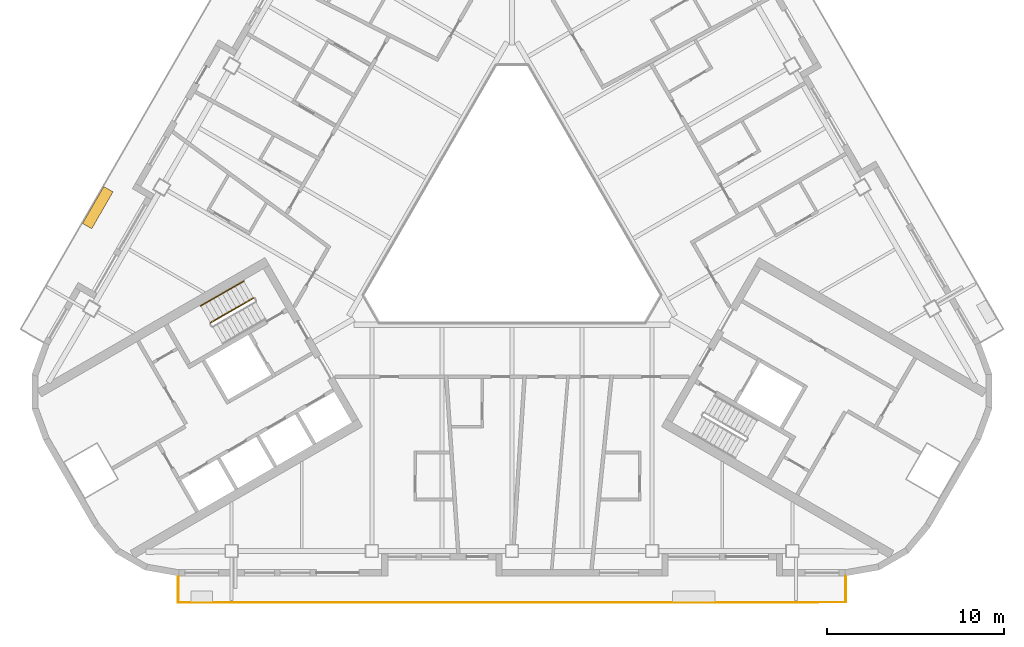
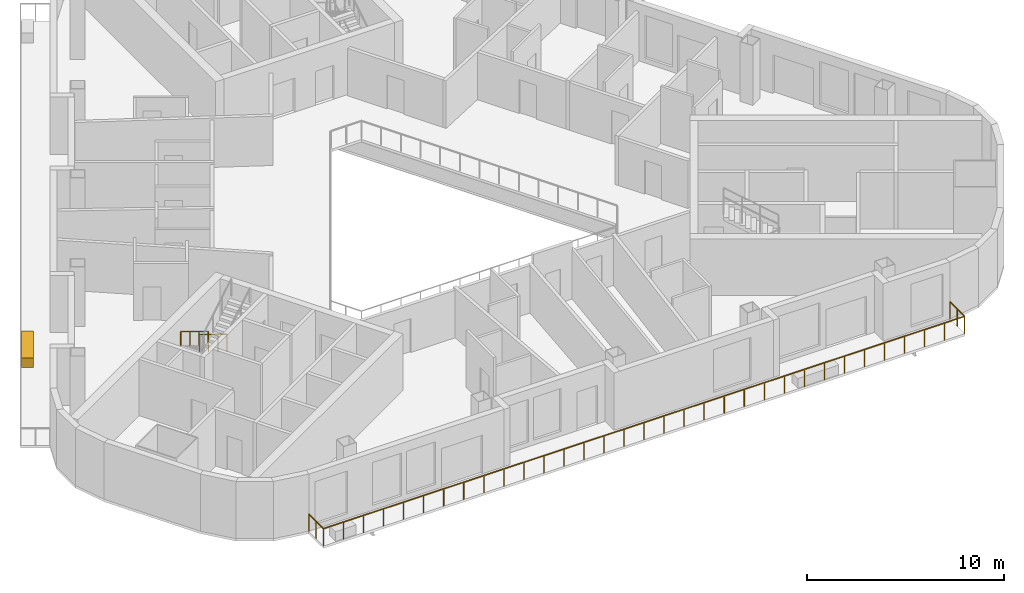
# One storey, part 10 of 14: 3 railings, 1 covering.
"""IFC4 building model written with IfcOpenShell, lengths in metres."""

import ifcopenshell
import ifcopenshell.guid

model = None  # the IFC model being written
_history = None  # IfcOwnerHistory: only IFC2X3 demands one
_inside = {}  # id of a spatial element -> (the spatial element, [elements in it])
_under = {}  # id of a project, library or spatial element -> (it, [spatial elements below it])
_declared = {}  # id of a project -> (the project, [libraries it declares])
_typed = {}  # id of a type object -> (the type object, [elements of that type])
_made_of = {}  # id of a material, layer set ... -> (it, [elements and type objects made of it])


def new_model(schema):
    """Start an empty IFC model of exactly this schema.

    Asked for "IFC4X3", IfcOpenShell would pick the latest addendum, in which some entities
    have other attributes; the version numbers below select the first issue.
    IFC2X3 requires an IfcOwnerHistory on every rooted entity: one is made here for all.
    """
    global model, _history
    if schema == "IFC4X3":
        model = ifcopenshell.file(schema_version=(4, 3, 0, 0))
    else:
        model = ifcopenshell.file(schema=schema)
    _inside.clear()
    _under.clear()
    _declared.clear()
    _typed.clear()
    _made_of.clear()
    _history = None
    if model.schema == "IFC2X3":
        org = make("IfcOrganization", Name="unknown")
        user = make(
            "IfcPersonAndOrganization",
            ThePerson=make("IfcPerson", FamilyName="unknown"),
            TheOrganization=org,
        )
        app = make(
            "IfcApplication",
            ApplicationDeveloper=org,
            Version="unknown",
            ApplicationFullName="unknown",
            ApplicationIdentifier="unknown",
        )
        _history = make(
            "IfcOwnerHistory",
            OwningUser=user,
            OwningApplication=app,
            ChangeAction="ADDED",
            CreationDate=0,
        )
    return model


def make(cls, **values):
    """One entity of the class cls with the attributes given. An attribute that is None is left unset."""
    return model.create_entity(
        cls, **{name: value for name, value in values.items() if value is not None}
    )


def rooted(cls, **values):
    """An entity with a GlobalId (a new one), such as an element, a storey or a relation."""
    return make(cls, GlobalId=ifcopenshell.guid.new(), OwnerHistory=_history, **values)


def si_unit(unit_type, name, prefix=None):
    """IfcSIUnit, for example si_unit("LENGTHUNIT", "METRE", prefix="MILLI")."""
    return make("IfcSIUnit", UnitType=unit_type, Prefix=prefix, Name=name)


def assignment(units):
    """IfcUnitAssignment: the units of a project."""
    return None if units is None else make("IfcUnitAssignment", Units=units)


def point(xyz):
    """IfcCartesianPoint."""
    return None if xyz is None else make("IfcCartesianPoint", Coordinates=xyz)


def direction(xyz):
    """IfcDirection."""
    return None if xyz is None else make("IfcDirection", DirectionRatios=xyz)


def frame(location, z_axis=None, x_axis=None):
    """IfcAxis2Placement3D, a coordinate frame: its origin and axes. An axis left out is left unset."""
    return make(
        "IfcAxis2Placement3D",
        Location=point(location),
        Axis=direction(z_axis),
        RefDirection=direction(x_axis),
    )


def frame_2d(location, x_axis=None):
    """IfcAxis2Placement2D, a coordinate frame in the plane: its origin and x axis."""
    return make(
        "IfcAxis2Placement2D", Location=point(location), RefDirection=direction(x_axis)
    )


def origin():
    """The frame at (0, 0, 0) with its axes left unset."""
    return frame((0.0, 0.0, 0.0))


def origin_2d():
    """The frame at (0, 0) in the plane with its x axis left unset."""
    return frame_2d((0.0, 0.0))


def place(relative_to, where):
    """IfcLocalPlacement: puts the frame where relative to a parent placement (None: the world)."""
    return make(
        "IfcLocalPlacement", PlacementRelTo=relative_to, RelativePlacement=where
    )


def context(
    kind, dimensions, precision=None, world=None, true_north=None, identifier=None
):
    """IfcGeometricRepresentationContext, for example the 3D "Model" context."""
    return make(
        "IfcGeometricRepresentationContext",
        ContextIdentifier=identifier,
        ContextType=kind,
        CoordinateSpaceDimension=dimensions,
        Precision=precision,
        WorldCoordinateSystem=world,
        TrueNorth=true_north,
    )


def subcontext(parent, identifier, kind, view, scale=None):
    """IfcGeometricRepresentationSubContext, for example "Body" below "Model"."""
    return make(
        "IfcGeometricRepresentationSubContext",
        ContextIdentifier=identifier,
        ContextType=kind,
        ParentContext=parent,
        TargetScale=scale,
        TargetView=view,
    )


def project(units=None, contexts=None):
    """IfcProject with its units and contexts."""
    return rooted(
        "IfcProject",
        Name="project",
        RepresentationContexts=contexts,
        UnitsInContext=assignment(units),
    )


def spatial(cls, under=None, at=None, **own):
    """A site, building, storey or space (cls), placed at a placement, below another one or the project."""
    s = rooted(cls, ObjectPlacement=at, **own)
    if under is not None:
        _under.setdefault(under.id(), (under, []))[1].append(s)
    return s


def profile(cls, at=None, kind="AREA", **sizes):
    """A parametric profile (cls). Its sizes go by their IFC names, for example OverallWidth=200.0."""
    return make(cls, ProfileType=kind, Position=at, **sizes)


def rectangle(**sizes):
    """IfcRectangleProfileDef."""
    return profile("IfcRectangleProfileDef", **sizes)


def circle(**sizes):
    """IfcCircleProfileDef."""
    return profile("IfcCircleProfileDef", **sizes)


def extrude(swept, where, along, depth):
    """IfcExtrudedAreaSolid: the profile swept, set in the frame where, extruded along a direction by depth."""
    return make(
        "IfcExtrudedAreaSolid",
        SweptArea=swept,
        Position=where,
        ExtrudedDirection=direction(along),
        Depth=depth,
    )


def shape(context_of_items, identifier, shape_type, items):
    """IfcShapeRepresentation: the items that make up one representation, for example the "Body"."""
    return make(
        "IfcShapeRepresentation",
        ContextOfItems=context_of_items,
        RepresentationIdentifier=identifier,
        RepresentationType=shape_type,
        Items=items,
    )


def material(Name=None, Category=None):
    """IfcMaterial."""
    return make("IfcMaterial", Name=Name, Category=Category)


def made_of(thing, what):
    """Note that an element or type object is made of a material, layer set ...; save() writes the relation."""
    if what is not None:
        _made_of.setdefault(what.id(), (what, []))[1].append(thing)
    return thing


def type_object(cls, material=None, **own):
    """A type object (cls), such as IfcWallType, which elements share."""
    return made_of(rooted(cls, **own), material)


def element(
    cls,
    number,
    at=None,
    inside=None,
    cuts=None,
    type_object=None,
    material=None,
    context=None,
    identifier="Body",
    shape_type=None,
    held_by="IfcProductDefinitionShape",
    body=None,
    shapes=None,
    **own,
):
    """One element of the class cls, such as IfcWall. Its Tag is "e" and its number.

    at: its placement. inside: the storey or other place that contains it. cuts: it is an
    opening in that element (IfcRelVoidsElement). A single representation is given by context,
    identifier, shape_type and body (its items); several are given by shapes. held_by: the class
    of the entity that holds the representations. save() writes the other relations.
    """
    e = rooted(cls, Tag="e%d" % number, ObjectPlacement=at, **own)
    if body is not None:
        shapes = [shape(context, identifier, shape_type, body)]
    if shapes is not None:
        e.Representation = make(held_by, Representations=shapes)
    if inside is not None:
        _inside.setdefault(inside.id(), (inside, []))[1].append(e)
    if cuts is not None:
        rooted(
            "IfcRelVoidsElement", RelatingBuildingElement=cuts, RelatedOpeningElement=e
        )
    if type_object is not None:
        _typed.setdefault(type_object.id(), (type_object, []))[1].append(e)
    return made_of(e, material)


def aggregate(whole, parts):
    """IfcRelAggregates: a whole, such as a stair, and the parts it consists of."""
    return rooted("IfcRelAggregates", RelatingObject=whole, RelatedObjects=parts)


def save(model, path):
    """Write the relations noted so far, then the file.

    IfcRelAggregates (storeys below a building ...), IfcRelContainedInSpatialStructure (elements
    in a storey), IfcRelDefinesByType, IfcRelAssociatesMaterial and IfcRelDeclares: one each for
    every whole, place, type object, material and project.
    """
    for whole, parts in _under.values():
        aggregate(whole, parts)
    for where, things in _inside.values():
        rooted(
            "IfcRelContainedInSpatialStructure",
            RelatedElements=things,
            RelatingStructure=where,
        )
    for kind, things in _typed.values():
        rooted("IfcRelDefinesByType", RelatedObjects=things, RelatingType=kind)
    for what, things in _made_of.values():
        rooted("IfcRelAssociatesMaterial", RelatedObjects=things, RelatingMaterial=what)
    for by, libraries in _declared.values():
        rooted("IfcRelDeclares", RelatingContext=by, RelatedDefinitions=libraries)
    model.write(path)


model = new_model("IFC4")

# Units and contexts
model_context = context("Model", 3, precision=1e-05, world=origin(), true_north=direction((0.0, 1.0)))
body_context = subcontext(model_context, "Body", "Model", "MODEL_VIEW")
ifc_project = project(units=[si_unit("LENGTHUNIT", "METRE"), si_unit("AREAUNIT", "SQUARE_METRE"), si_unit("VOLUMEUNIT", "CUBIC_METRE"), si_unit("PLANEANGLEUNIT", "RADIAN"), si_unit("MASSUNIT", "GRAM", prefix="KILO")], contexts=[model_context])

# Site, building, storey
site_placement = place(None, origin())
site = spatial("IfcSite", under=ifc_project, at=site_placement, CompositionType="ELEMENT")
building_placement = place(site_placement, origin())
building = spatial("IfcBuilding", under=site, at=building_placement, Name="Apuvela Tower Hotel", CompositionType="ELEMENT")
storey_placement = place(building_placement, frame((0.0, 0.0, 205.800048828125)))
storey = spatial("IfcBuildingStorey", under=building, at=storey_placement, Name="L50", CompositionType="ELEMENT", Elevation=205.800048828125)

# Railings
ifc_material_1 = material(Name="Steel S275 balustrade", Category="steel")
railing_type_1 = type_object("IfcRailingType", Name="COR-GUARD-1100", PredefinedType="GUARDRAIL", material=ifc_material_1)
railing_1_placement = place(storey_placement, frame((-14.569091796875, -3.9658203125, 0.168212890625)))
element("IfcRailing", 1, at=railing_1_placement, inside=storey, type_object=railing_type_1, Name="L50 ST2 stair guard 1", PredefinedType="GUARDRAIL", context=body_context, shape_type="SweptSolid", body=[
    extrude(rectangle(XDim=0.048095703125, YDim=0.048095703125, at=origin_2d()), frame((0.0, 0.0, 1.076171875), z_axis=(-0.74241905619, -0.428617687091, 0.514879426), x_axis=(0.49998411664, -0.866034573852, 0.0)), (0.0, 0.0, 1.0), 3.26611328125),
    extrude(rectangle(XDim=0.0419921875, YDim=0.0419921875, at=origin_2d()), origin(), (0.0, 0.0, 1.0), 1.052001953125),
    extrude(rectangle(XDim=0.0419921875, YDim=0.0419921875, at=origin_2d()), frame((-0.808349609375, -0.466552734375, 0.560546875)), (0.0, 0.0, 1.0), 1.052001953125),
    extrude(rectangle(XDim=0.0419921875, YDim=0.0419921875, at=origin_2d()), frame((-1.616455078125, -0.933349609375, 1.12109375)), (0.0, 0.0, 1.0), 1.052001953125),
    extrude(rectangle(XDim=0.0419921875, YDim=0.0419921875, at=origin_2d()), frame((-2.4248046875, -1.39990234375, 1.681640625)), (0.0, 0.0, 1.0), 1.052001953125),
])
ifc_material_2 = material(Name="Stainless steel 316 handrail", Category="steel")
railing_type_2 = type_object("IfcRailingType", Name="COR-HANDRAIL-900", PredefinedType="HANDRAIL", material=ifc_material_2)
railing_2_placement = place(storey_placement, frame((-15.118896484375, -3.01318359375, 0.168212890625)))
element("IfcRailing", 2, at=railing_2_placement, inside=storey, type_object=railing_type_2, Name="L50 ST2 stair handrail 1", PredefinedType="HANDRAIL", context=body_context, shape_type="SweptSolid", body=[
    extrude(circle(Radius=0.02392578125, at=origin_2d()), frame((0.0, 0.0, 0.8759765625), z_axis=(-0.742452602333, -0.428593901316, 0.514850853203), x_axis=(0.49994636267, -0.866056369097, 0.0)), (0.0, 0.0, 1.0), 3.266357421875),
    extrude(rectangle(XDim=0.0419921875, YDim=0.0419921875, at=origin_2d()), origin(), (0.0, 0.0, 1.0), 0.851806640625),
    extrude(rectangle(XDim=0.0419921875, YDim=0.0419921875, at=origin_2d()), frame((-0.808349609375, -0.466552734375, 0.560546875)), (0.0, 0.0, 1.0), 0.851806640625),
    extrude(rectangle(XDim=0.0419921875, YDim=0.0419921875, at=origin_2d()), frame((-1.61669921875, -0.933349609375, 1.12109375)), (0.0, 0.0, 1.0), 0.851806640625),
    extrude(rectangle(XDim=0.0419921875, YDim=0.0419921875, at=origin_2d()), frame((-2.425048828125, -1.39990234375, 1.681640625)), (0.0, 0.0, 1.0), 0.851806640625),
])
ifc_material_3 = material(Name="Stainless steel 316 rail with laminated glass infill", Category="steel")
railing_type_3 = type_object("IfcRailingType", Name="ENV-GUARD-1100", PredefinedType="GUARDRAIL", material=ifc_material_3)
railing_3_placement = place(storey_placement, frame((-18.81591796875, -19.6298828125, 0.0)))
element("IfcRailing", 3, at=railing_3_placement, inside=storey, type_object=railing_type_3, Name="Balcony guard S L50", PredefinedType="GUARDRAIL", context=body_context, shape_type="SweptSolid", body=[
    extrude(rectangle(XDim=0.050048828125, YDim=0.050048828125, at=origin_2d()), frame((0.0, 0.0, 1.0751953125), z_axis=(0.0, -1.0, 0.0), x_axis=(1.0, 0.0, 0.0)), (0.0, 0.0, 1.0), 1.5),
    extrude(rectangle(XDim=0.050048828125, YDim=0.050048828125, at=origin_2d()), frame((0.0, -1.5, 1.0751953125), z_axis=(1.0, 0.0, 0.0), x_axis=(0.0, 1.0, 0.0)), (0.0, 0.0, 1.0), 37.6318359375),
    extrude(rectangle(XDim=0.050048828125, YDim=0.050048828125, at=origin_2d()), frame((37.6318359375, -1.5, 1.0751953125), z_axis=(0.0, 1.0, 0.0), x_axis=(-1.0, 0.0, 0.0)), (0.0, 0.0, 1.0), 1.5),
    extrude(rectangle(XDim=0.0400390625, YDim=0.0400390625, at=origin_2d()), origin(), (0.0, 0.0, 1.0), 1.050048828125),
    extrude(rectangle(XDim=0.0400390625, YDim=0.0400390625, at=origin_2d()), frame((0.0, -0.75, 0.0)), (0.0, 0.0, 1.0), 1.050048828125),
    extrude(rectangle(XDim=0.0400390625, YDim=0.0400390625, at=origin_2d()), frame((0.0, -1.5, 0.0)), (0.0, 0.0, 1.0), 1.050048828125),
    extrude(rectangle(XDim=0.0400390625, YDim=0.0400390625, at=origin_2d()), frame((1.176025390625, -1.5, 0.0)), (0.0, 0.0, 1.0), 1.050048828125),
    extrude(rectangle(XDim=0.0400390625, YDim=0.0400390625, at=origin_2d()), frame((2.35205078125, -1.5, 0.0)), (0.0, 0.0, 1.0), 1.050048828125),
    extrude(rectangle(XDim=0.0400390625, YDim=0.0400390625, at=origin_2d()), frame((3.528076171875, -1.5, 0.0)), (0.0, 0.0, 1.0), 1.050048828125),
    extrude(rectangle(XDim=0.0400390625, YDim=0.0400390625, at=origin_2d()), frame((4.7041015625, -1.5, 0.0)), (0.0, 0.0, 1.0), 1.050048828125),
    extrude(rectangle(XDim=0.0400390625, YDim=0.0400390625, at=origin_2d()), frame((5.8798828125, -1.5, 0.0)), (0.0, 0.0, 1.0), 1.050048828125),
    extrude(rectangle(XDim=0.0400390625, YDim=0.0400390625, at=origin_2d()), frame((7.055908203125, -1.5, 0.0)), (0.0, 0.0, 1.0), 1.050048828125),
    extrude(rectangle(XDim=0.0400390625, YDim=0.0400390625, at=origin_2d()), frame((8.23193359375, -1.5, 0.0)), (0.0, 0.0, 1.0), 1.050048828125),
    extrude(rectangle(XDim=0.0400390625, YDim=0.0400390625, at=origin_2d()), frame((9.407958984375, -1.5, 0.0)), (0.0, 0.0, 1.0), 1.050048828125),
    extrude(rectangle(XDim=0.0400390625, YDim=0.0400390625, at=origin_2d()), frame((10.583984375, -1.5, 0.0)), (0.0, 0.0, 1.0), 1.050048828125),
    extrude(rectangle(XDim=0.0400390625, YDim=0.0400390625, at=origin_2d()), frame((11.760009765625, -1.5, 0.0)), (0.0, 0.0, 1.0), 1.050048828125),
    extrude(rectangle(XDim=0.0400390625, YDim=0.0400390625, at=origin_2d()), frame((12.93603515625, -1.5, 0.0)), (0.0, 0.0, 1.0), 1.050048828125),
    extrude(rectangle(XDim=0.0400390625, YDim=0.0400390625, at=origin_2d()), frame((14.11181640625, -1.5, 0.0)), (0.0, 0.0, 1.0), 1.050048828125),
    extrude(rectangle(XDim=0.0400390625, YDim=0.0400390625, at=origin_2d()), frame((15.287841796875, -1.5, 0.0)), (0.0, 0.0, 1.0), 1.050048828125),
    extrude(rectangle(XDim=0.0400390625, YDim=0.0400390625, at=origin_2d()), frame((16.4638671875, -1.5, 0.0)), (0.0, 0.0, 1.0), 1.050048828125),
    extrude(rectangle(XDim=0.0400390625, YDim=0.0400390625, at=origin_2d()), frame((17.639892578125, -1.5, 0.0)), (0.0, 0.0, 1.0), 1.050048828125),
    extrude(rectangle(XDim=0.0400390625, YDim=0.0400390625, at=origin_2d()), frame((18.81591796875, -1.5, 0.0)), (0.0, 0.0, 1.0), 1.050048828125),
    extrude(rectangle(XDim=0.0400390625, YDim=0.0400390625, at=origin_2d()), frame((19.991943359375, -1.5, 0.0)), (0.0, 0.0, 1.0), 1.050048828125),
    extrude(rectangle(XDim=0.0400390625, YDim=0.0400390625, at=origin_2d()), frame((21.16796875, -1.5, 0.0)), (0.0, 0.0, 1.0), 1.050048828125),
    extrude(rectangle(XDim=0.0400390625, YDim=0.0400390625, at=origin_2d()), frame((22.343994140625, -1.5, 0.0)), (0.0, 0.0, 1.0), 1.050048828125),
    extrude(rectangle(XDim=0.0400390625, YDim=0.0400390625, at=origin_2d()), frame((23.52001953125, -1.5, 0.0)), (0.0, 0.0, 1.0), 1.050048828125),
    extrude(rectangle(XDim=0.0400390625, YDim=0.0400390625, at=origin_2d()), frame((24.69580078125, -1.5, 0.0)), (0.0, 0.0, 1.0), 1.050048828125),
    extrude(rectangle(XDim=0.0400390625, YDim=0.0400390625, at=origin_2d()), frame((25.871826171875, -1.5, 0.0)), (0.0, 0.0, 1.0), 1.050048828125),
    extrude(rectangle(XDim=0.0400390625, YDim=0.0400390625, at=origin_2d()), frame((27.0478515625, -1.5, 0.0)), (0.0, 0.0, 1.0), 1.050048828125),
    extrude(rectangle(XDim=0.0400390625, YDim=0.0400390625, at=origin_2d()), frame((28.223876953125, -1.5, 0.0)), (0.0, 0.0, 1.0), 1.050048828125),
    extrude(rectangle(XDim=0.0400390625, YDim=0.0400390625, at=origin_2d()), frame((29.39990234375, -1.5, 0.0)), (0.0, 0.0, 1.0), 1.050048828125),
    extrude(rectangle(XDim=0.0400390625, YDim=0.0400390625, at=origin_2d()), frame((30.575927734375, -1.5, 0.0)), (0.0, 0.0, 1.0), 1.050048828125),
    extrude(rectangle(XDim=0.0400390625, YDim=0.0400390625, at=origin_2d()), frame((31.751953125, -1.5, 0.0)), (0.0, 0.0, 1.0), 1.050048828125),
    extrude(rectangle(XDim=0.0400390625, YDim=0.0400390625, at=origin_2d()), frame((32.927734375, -1.5, 0.0)), (0.0, 0.0, 1.0), 1.050048828125),
    extrude(rectangle(XDim=0.0400390625, YDim=0.0400390625, at=origin_2d()), frame((34.103759765625, -1.5, 0.0)), (0.0, 0.0, 1.0), 1.050048828125),
    extrude(rectangle(XDim=0.0400390625, YDim=0.0400390625, at=origin_2d()), frame((35.27978515625, -1.5, 0.0)), (0.0, 0.0, 1.0), 1.050048828125),
    extrude(rectangle(XDim=0.0400390625, YDim=0.0400390625, at=origin_2d()), frame((36.455810546875, -1.5, 0.0)), (0.0, 0.0, 1.0), 1.050048828125),
    extrude(rectangle(XDim=0.0400390625, YDim=0.0400390625, at=origin_2d()), frame((37.6318359375, -1.5, 0.0)), (0.0, 0.0, 1.0), 1.050048828125),
    extrude(rectangle(XDim=0.0400390625, YDim=0.0400390625, at=origin_2d()), frame((37.6318359375, -0.75, 0.0)), (0.0, 0.0, 1.0), 1.050048828125),
    extrude(rectangle(XDim=0.0400390625, YDim=0.0400390625, at=origin_2d()), frame((37.6318359375, 0.0, 0.0)), (0.0, 0.0, 1.0), 1.050048828125),
])

# Covering
ifc_material_4 = material(Name="Planting substrate and soil, planted")
covering_type = type_object("IfcCoveringType", Name="ENV-PLANTER-2400x600", PredefinedType="USERDEFINED", material=ifc_material_4)
covering_placement = place(storey_placement, frame((-23.345947265625, 1.12353515625, 0.0), z_axis=(0.0, 0.0, 1.0), x_axis=(-0.5, -0.866025403784, 0.0)))
element("IfcCovering", 4, at=covering_placement, inside=storey, type_object=covering_type, Name="Planter NW5", ObjectType="PLANTER", PredefinedType="USERDEFINED", context=body_context, shape_type="SweptSolid", body=[
    extrude(rectangle(XDim=2.39990234375, YDim=0.60009765625, at=origin_2d()), origin(), (0.0, 0.0, 1.0), 0.60009765625),
])

save(model, "model.ifc")
